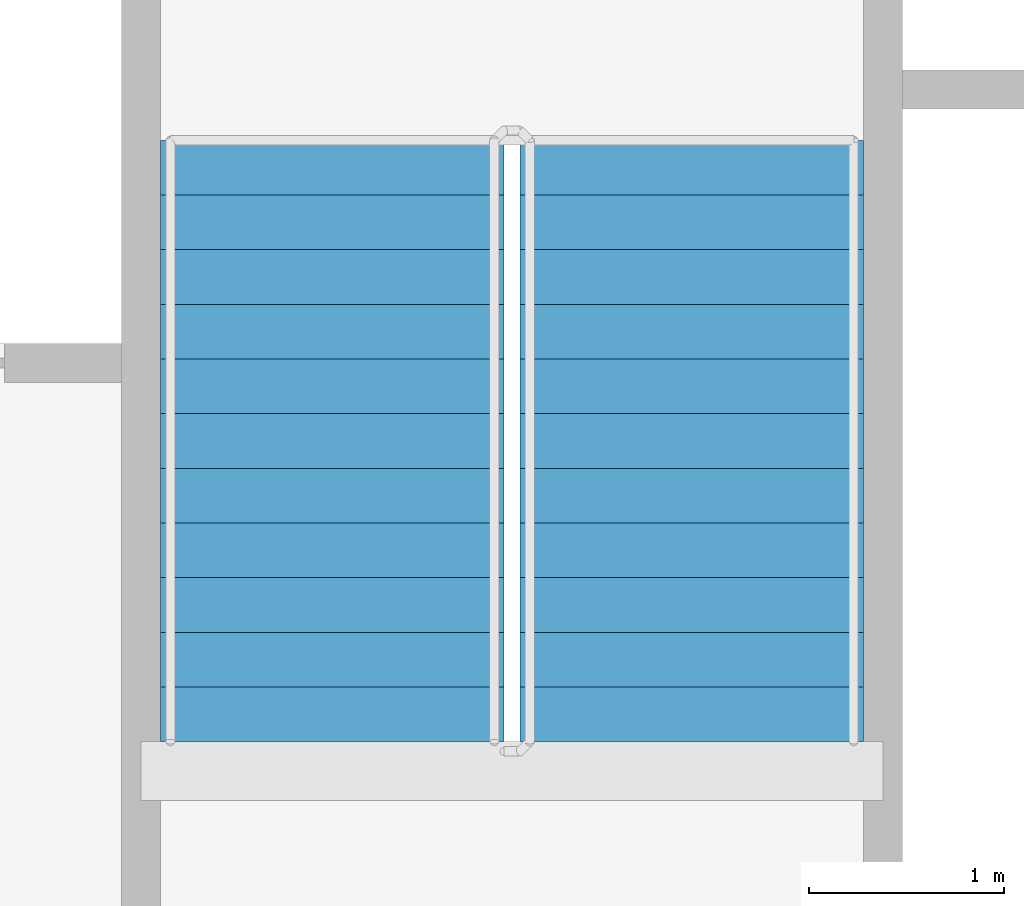
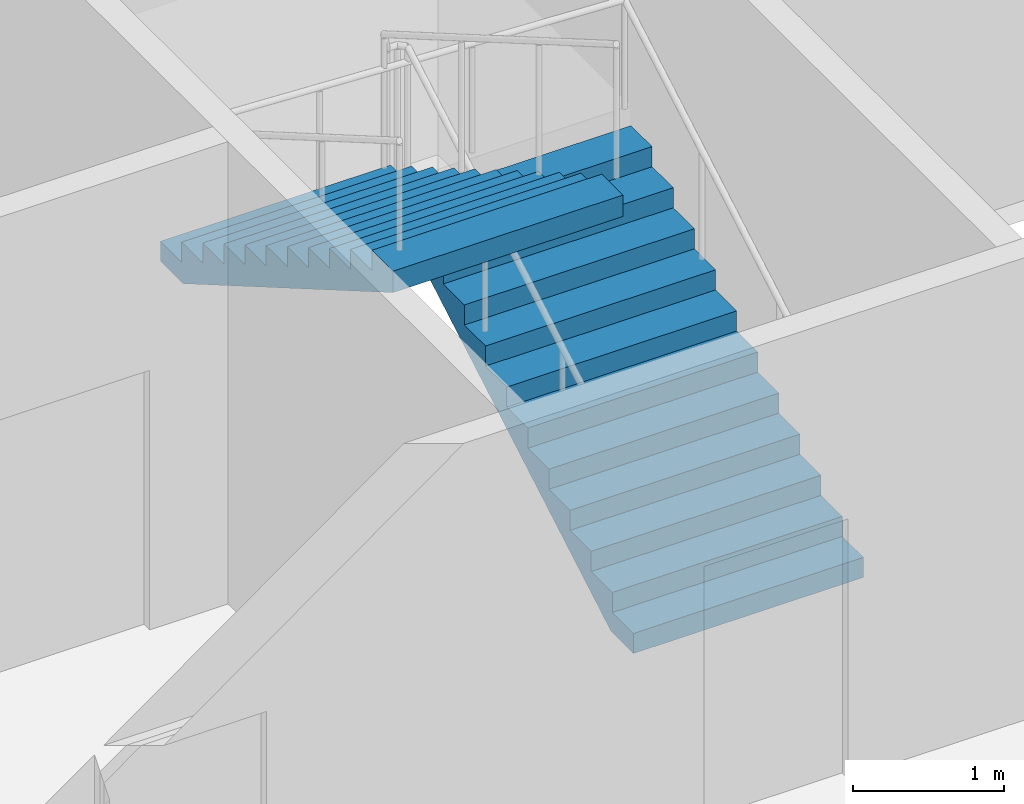
# One storey, part 10 of 15: 2 stair flights, 1 element without a shape of its own.
"""IFC4 building model written with IfcOpenShell, lengths in metres."""

from ifc_helpers import new_model, si_unit, direction, frame, origin, place, context, subcontext, project, spatial, faceted_brep, material, type_object, element, aggregate, save


model = new_model("IFC4")

# Units and contexts
model_context = context("Model", 3, precision=1e-05, world=origin(), true_north=direction((0.0, 1.0)))
body_context = subcontext(model_context, "Body", "Model", "MODEL_VIEW")
ifc_project = project(units=[si_unit("LENGTHUNIT", "METRE"), si_unit("AREAUNIT", "SQUARE_METRE"), si_unit("VOLUMEUNIT", "CUBIC_METRE"), si_unit("PLANEANGLEUNIT", "RADIAN"), si_unit("MASSUNIT", "GRAM", prefix="KILO")], contexts=[model_context])

# Site, building, storey
site_placement = place(None, origin())
site = spatial("IfcSite", under=ifc_project, at=site_placement, CompositionType="ELEMENT")
building_placement = place(site_placement, origin())
building = spatial("IfcBuilding", under=site, at=building_placement, Name="Tarsis Ring Headquarters", CompositionType="ELEMENT")
storey_placement = place(building_placement, frame((0.0, 0.0, 282.5)))
storey = spatial("IfcBuildingStorey", under=building, at=storey_placement, Name="L66", CompositionType="ELEMENT", Elevation=282.5)

# Stair, stair flights
ifc_material_1 = material(Name="Core stair 1760")
stair_type = type_object("IfcStairType", Name="Core stair 1760", PredefinedType="HALF_TURN_STAIR", material=ifc_material_1)
stair_placement = place(storey_placement, origin())
stair = element("IfcStair", 1, at=stair_placement, inside=storey, type_object=stair_type, Name="L66 Exit stair B", PredefinedType="HALF_TURN_STAIR")
ifc_material_2 = material(Name="Concrete C40/50", Category="concrete")
stair_flight_type = type_object("IfcStairFlightType", Name="Core stair flight 1760", PredefinedType="STRAIGHT", material=ifc_material_2)
stair_flight_1_placement = place(storey_placement, frame((5.419921875, 3.659912109375, 0.0), z_axis=(0.0, 0.0, 1.0), x_axis=(0.0, 1.0, 0.0)))
stair_flight_1 = element("IfcStairFlight", 2, at=stair_flight_1_placement, type_object=stair_flight_type, Name="Stair ST2 flight 1", NumberOfRisers=12, NumberOfTreads=11, PredefinedType="STRAIGHT", RiserHeight=0.1625, TreadLength=0.28, context=body_context, shape_type="Brep", body=[
    faceted_brep([(0.0, 0.8798828125, 0.0), (0.0, 0.8798828125, 0.16259765625), (0.280029296875, 0.8798828125, 0.16259765625), (0.280029296875, 0.8798828125, 0.324951171875), (0.56005859375, 0.8798828125, 0.324951171875), (0.56005859375, 0.8798828125, 0.487548828125), (0.840087890625, 0.8798828125, 0.487548828125), (0.840087890625, 0.8798828125, 0.64990234375), (1.1201171875, 0.8798828125, 0.64990234375), (1.1201171875, 0.8798828125, 0.8125), (1.39990234375, 0.8798828125, 0.8125), (1.39990234375, 0.8798828125, 0.97509765625), (1.679931640625, 0.8798828125, 0.97509765625), (1.679931640625, 0.8798828125, 1.137451171875), (1.9599609375, 0.8798828125, 1.137451171875), (1.9599609375, 0.8798828125, 1.300048828125), (2.239990234375, 0.8798828125, 1.300048828125), (2.239990234375, 0.8798828125, 1.46240234375), (2.52001953125, 0.8798828125, 1.46240234375), (2.52001953125, 0.8798828125, 1.625), (2.800048828125, 0.8798828125, 1.625), (2.800048828125, 0.8798828125, 1.78759765625), (3.080078125, 0.8798828125, 1.78759765625), (3.080078125, 0.8798828125, 1.6142578125), (0.298583984375, 0.8798828125, 0.0), (0.298583984375, -0.8798828125, 0.0), (3.080078125, -0.8798828125, 1.6142578125), (3.080078125, -0.8798828125, 1.78759765625), (2.800048828125, -0.8798828125, 1.78759765625), (2.800048828125, -0.8798828125, 1.625), (2.52001953125, -0.8798828125, 1.625), (2.52001953125, -0.8798828125, 1.46240234375), (2.239990234375, -0.8798828125, 1.46240234375), (2.239990234375, -0.8798828125, 1.300048828125), (1.9599609375, -0.8798828125, 1.300048828125), (1.9599609375, -0.8798828125, 1.137451171875), (1.679931640625, -0.8798828125, 1.137451171875), (1.679931640625, -0.8798828125, 0.97509765625), (1.39990234375, -0.8798828125, 0.97509765625), (1.39990234375, -0.8798828125, 0.8125), (1.1201171875, -0.8798828125, 0.8125), (1.1201171875, -0.8798828125, 0.64990234375), (0.840087890625, -0.8798828125, 0.64990234375), (0.840087890625, -0.8798828125, 0.487548828125), (0.56005859375, -0.8798828125, 0.487548828125), (0.56005859375, -0.8798828125, 0.324951171875), (0.280029296875, -0.8798828125, 0.324951171875), (0.280029296875, -0.8798828125, 0.16259765625), (0.0, -0.8798828125, 0.16259765625), (0.0, -0.8798828125, 0.0), (0.0, -0.43994140625, 0.16259765625), (0.0, -0.43994140625, 0.0), (0.0, 0.0, 0.16259765625), (0.0, 0.0, 0.0), (0.0, 0.43994140625, 0.16259765625), (0.0, 0.43994140625, 0.0), (0.280029296875, -0.43994140625, 0.16259765625), (0.280029296875, 0.0, 0.16259765625), (0.280029296875, 0.43994140625, 0.16259765625), (0.280029296875, -0.43994140625, 0.324951171875), (0.280029296875, 0.0, 0.324951171875), (0.280029296875, 0.43994140625, 0.324951171875), (0.56005859375, -0.43994140625, 0.324951171875), (0.56005859375, 0.0, 0.324951171875), (0.56005859375, 0.43994140625, 0.324951171875), (0.56005859375, -0.43994140625, 0.487548828125), (0.56005859375, 0.0, 0.487548828125), (0.56005859375, 0.43994140625, 0.487548828125), (0.840087890625, -0.43994140625, 0.487548828125), (0.840087890625, 0.0, 0.487548828125), (0.840087890625, 0.43994140625, 0.487548828125), (0.840087890625, -0.43994140625, 0.64990234375), (0.840087890625, 0.0, 0.64990234375), (0.840087890625, 0.43994140625, 0.64990234375), (1.1201171875, -0.43994140625, 0.64990234375), (1.1201171875, 0.0, 0.64990234375), (1.1201171875, 0.43994140625, 0.64990234375), (1.1201171875, -0.43994140625, 0.8125), (1.1201171875, 0.0, 0.8125), (1.1201171875, 0.43994140625, 0.8125), (1.39990234375, -0.43994140625, 0.8125), (1.39990234375, 0.0, 0.8125), (1.39990234375, 0.43994140625, 0.8125), (1.39990234375, -0.43994140625, 0.97509765625), (1.39990234375, 0.0, 0.97509765625), (1.39990234375, 0.43994140625, 0.97509765625), (1.679931640625, -0.43994140625, 0.97509765625), (1.679931640625, 0.0, 0.97509765625), (1.679931640625, 0.43994140625, 0.97509765625), (1.679931640625, -0.43994140625, 1.137451171875), (1.679931640625, 0.0, 1.137451171875), (1.679931640625, 0.43994140625, 1.137451171875), (1.9599609375, -0.43994140625, 1.137451171875), (1.9599609375, 0.0, 1.137451171875), (1.9599609375, 0.43994140625, 1.137451171875), (1.9599609375, -0.43994140625, 1.300048828125), (1.9599609375, 0.0, 1.300048828125), (1.9599609375, 0.43994140625, 1.300048828125), (2.239990234375, -0.43994140625, 1.300048828125), (2.239990234375, 0.0, 1.300048828125), (2.239990234375, 0.43994140625, 1.300048828125), (2.239990234375, -0.43994140625, 1.46240234375), (2.239990234375, 0.0, 1.46240234375), (2.239990234375, 0.43994140625, 1.46240234375), (2.52001953125, -0.43994140625, 1.46240234375), (2.52001953125, 0.0, 1.46240234375), (2.52001953125, 0.43994140625, 1.46240234375), (2.52001953125, -0.43994140625, 1.625), (2.52001953125, 0.0, 1.625), (2.52001953125, 0.43994140625, 1.625), (2.800048828125, -0.43994140625, 1.625), (2.800048828125, 0.0, 1.625), (2.800048828125, 0.43994140625, 1.625), (2.800048828125, -0.43994140625, 1.78759765625), (2.800048828125, 0.0, 1.78759765625), (2.800048828125, 0.43994140625, 1.78759765625), (3.080078125, -0.43994140625, 1.78759765625), (3.080078125, 0.0, 1.78759765625), (3.080078125, 0.43994140625, 1.78759765625), (3.080078125, -0.43994140625, 1.6142578125), (3.080078125, 0.0, 1.6142578125), (3.080078125, 0.43994140625, 1.6142578125), (0.298583984375, -0.43994140625, 0.0), (0.298583984375, 0.0, 0.0), (0.298583984375, 0.43994140625, 0.0)], [[[0, 1, 2, 3, 4, 5, 6, 7, 8, 9, 10, 11, 12, 13, 14, 15, 16, 17, 18, 19, 20, 21, 22, 23, 24]], [[25, 26, 27, 28, 29, 30, 31, 32, 33, 34, 35, 36, 37, 38, 39, 40, 41, 42, 43, 44, 45, 46, 47, 48, 49]], [[49, 48, 50, 51]], [[51, 50, 52, 53]], [[53, 52, 54, 55]], [[55, 54, 1, 0]], [[48, 47, 56, 50]], [[50, 56, 57, 52]], [[52, 57, 58, 54]], [[54, 58, 2, 1]], [[47, 46, 59, 56]], [[56, 59, 60, 57]], [[57, 60, 61, 58]], [[58, 61, 3, 2]], [[46, 45, 62, 59]], [[59, 62, 63, 60]], [[60, 63, 64, 61]], [[61, 64, 4, 3]], [[45, 44, 65, 62]], [[62, 65, 66, 63]], [[63, 66, 67, 64]], [[64, 67, 5, 4]], [[44, 43, 68, 65]], [[65, 68, 69, 66]], [[66, 69, 70, 67]], [[67, 70, 6, 5]], [[43, 42, 71, 68]], [[68, 71, 72, 69]], [[69, 72, 73, 70]], [[70, 73, 7, 6]], [[42, 41, 74, 71]], [[71, 74, 75, 72]], [[72, 75, 76, 73]], [[73, 76, 8, 7]], [[41, 40, 77, 74]], [[74, 77, 78, 75]], [[75, 78, 79, 76]], [[76, 79, 9, 8]], [[40, 39, 80, 77]], [[77, 80, 81, 78]], [[78, 81, 82, 79]], [[79, 82, 10, 9]], [[39, 38, 83, 80]], [[80, 83, 84, 81]], [[81, 84, 85, 82]], [[82, 85, 11, 10]], [[38, 37, 86, 83]], [[83, 86, 87, 84]], [[84, 87, 88, 85]], [[85, 88, 12, 11]], [[37, 36, 89, 86]], [[86, 89, 90, 87]], [[87, 90, 91, 88]], [[88, 91, 13, 12]], [[36, 35, 92, 89]], [[89, 92, 93, 90]], [[90, 93, 94, 91]], [[91, 94, 14, 13]], [[35, 34, 95, 92]], [[92, 95, 96, 93]], [[93, 96, 97, 94]], [[94, 97, 15, 14]], [[34, 33, 98, 95]], [[95, 98, 99, 96]], [[96, 99, 100, 97]], [[97, 100, 16, 15]], [[33, 32, 101, 98]], [[98, 101, 102, 99]], [[99, 102, 103, 100]], [[100, 103, 17, 16]], [[32, 31, 104, 101]], [[101, 104, 105, 102]], [[102, 105, 106, 103]], [[103, 106, 18, 17]], [[31, 30, 107, 104]], [[104, 107, 108, 105]], [[105, 108, 109, 106]], [[106, 109, 19, 18]], [[30, 29, 110, 107]], [[107, 110, 111, 108]], [[108, 111, 112, 109]], [[109, 112, 20, 19]], [[29, 28, 113, 110]], [[110, 113, 114, 111]], [[111, 114, 115, 112]], [[112, 115, 21, 20]], [[28, 27, 116, 113]], [[113, 116, 117, 114]], [[114, 117, 118, 115]], [[115, 118, 22, 21]], [[27, 26, 119, 116]], [[116, 119, 120, 117]], [[117, 120, 121, 118]], [[118, 121, 23, 22]], [[26, 25, 122, 119]], [[119, 122, 123, 120]], [[120, 123, 124, 121]], [[121, 124, 24, 23]], [[25, 49, 51, 122]], [[122, 51, 53, 123]], [[123, 53, 55, 124]], [[124, 55, 0, 24]]]),
])
stair_flight_2_placement = place(storey_placement, frame((3.580078125, 6.739990234375, 1.949951171875), z_axis=(0.0, 0.0, 1.0), x_axis=(0.0, -1.0, 0.0)))
stair_flight_2 = element("IfcStairFlight", 3, at=stair_flight_2_placement, type_object=stair_flight_type, Name="Stair ST2 flight 2", NumberOfRisers=12, NumberOfTreads=11, PredefinedType="STRAIGHT", RiserHeight=0.1625, TreadLength=0.28, context=body_context, shape_type="Brep", body=[
    faceted_brep([(0.0, 0.8798828125, 0.0), (0.0, 0.8798828125, 0.16259765625), (0.280029296875, 0.8798828125, 0.16259765625), (0.280029296875, 0.8798828125, 0.324951171875), (0.56005859375, 0.8798828125, 0.324951171875), (0.56005859375, 0.8798828125, 0.487548828125), (0.840087890625, 0.8798828125, 0.487548828125), (0.840087890625, 0.8798828125, 0.64990234375), (1.1201171875, 0.8798828125, 0.64990234375), (1.1201171875, 0.8798828125, 0.8125), (1.39990234375, 0.8798828125, 0.8125), (1.39990234375, 0.8798828125, 0.97509765625), (1.679931640625, 0.8798828125, 0.97509765625), (1.679931640625, 0.8798828125, 1.137451171875), (1.9599609375, 0.8798828125, 1.137451171875), (1.9599609375, 0.8798828125, 1.300048828125), (2.239990234375, 0.8798828125, 1.300048828125), (2.239990234375, 0.8798828125, 1.46240234375), (2.52001953125, 0.8798828125, 1.46240234375), (2.52001953125, 0.8798828125, 1.625), (2.800048828125, 0.8798828125, 1.625), (2.800048828125, 0.8798828125, 1.78759765625), (3.080078125, 0.8798828125, 1.78759765625), (3.080078125, 0.8798828125, 1.6142578125), (0.298583984375, 0.8798828125, 0.0), (0.298583984375, -0.8798828125, 0.0), (3.080078125, -0.8798828125, 1.6142578125), (3.080078125, -0.8798828125, 1.78759765625), (2.800048828125, -0.8798828125, 1.78759765625), (2.800048828125, -0.8798828125, 1.625), (2.52001953125, -0.8798828125, 1.625), (2.52001953125, -0.8798828125, 1.46240234375), (2.239990234375, -0.8798828125, 1.46240234375), (2.239990234375, -0.8798828125, 1.300048828125), (1.9599609375, -0.8798828125, 1.300048828125), (1.9599609375, -0.8798828125, 1.137451171875), (1.679931640625, -0.8798828125, 1.137451171875), (1.679931640625, -0.8798828125, 0.97509765625), (1.39990234375, -0.8798828125, 0.97509765625), (1.39990234375, -0.8798828125, 0.8125), (1.1201171875, -0.8798828125, 0.8125), (1.1201171875, -0.8798828125, 0.64990234375), (0.840087890625, -0.8798828125, 0.64990234375), (0.840087890625, -0.8798828125, 0.487548828125), (0.56005859375, -0.8798828125, 0.487548828125), (0.56005859375, -0.8798828125, 0.324951171875), (0.280029296875, -0.8798828125, 0.324951171875), (0.280029296875, -0.8798828125, 0.16259765625), (0.0, -0.8798828125, 0.16259765625), (0.0, -0.8798828125, 0.0), (0.0, -0.43994140625, 0.16259765625), (0.0, -0.43994140625, 0.0), (0.0, 0.0, 0.16259765625), (0.0, 0.0, 0.0), (0.0, 0.43994140625, 0.16259765625), (0.0, 0.43994140625, 0.0), (0.280029296875, -0.43994140625, 0.16259765625), (0.280029296875, 0.0, 0.16259765625), (0.280029296875, 0.43994140625, 0.16259765625), (0.280029296875, -0.43994140625, 0.324951171875), (0.280029296875, 0.0, 0.324951171875), (0.280029296875, 0.43994140625, 0.324951171875), (0.56005859375, -0.43994140625, 0.324951171875), (0.56005859375, 0.0, 0.324951171875), (0.56005859375, 0.43994140625, 0.324951171875), (0.56005859375, -0.43994140625, 0.487548828125), (0.56005859375, 0.0, 0.487548828125), (0.56005859375, 0.43994140625, 0.487548828125), (0.840087890625, -0.43994140625, 0.487548828125), (0.840087890625, 0.0, 0.487548828125), (0.840087890625, 0.43994140625, 0.487548828125), (0.840087890625, -0.43994140625, 0.64990234375), (0.840087890625, 0.0, 0.64990234375), (0.840087890625, 0.43994140625, 0.64990234375), (1.1201171875, -0.43994140625, 0.64990234375), (1.1201171875, 0.0, 0.64990234375), (1.1201171875, 0.43994140625, 0.64990234375), (1.1201171875, -0.43994140625, 0.8125), (1.1201171875, 0.0, 0.8125), (1.1201171875, 0.43994140625, 0.8125), (1.39990234375, -0.43994140625, 0.8125), (1.39990234375, 0.0, 0.8125), (1.39990234375, 0.43994140625, 0.8125), (1.39990234375, -0.43994140625, 0.97509765625), (1.39990234375, 0.0, 0.97509765625), (1.39990234375, 0.43994140625, 0.97509765625), (1.679931640625, -0.43994140625, 0.97509765625), (1.679931640625, 0.0, 0.97509765625), (1.679931640625, 0.43994140625, 0.97509765625), (1.679931640625, -0.43994140625, 1.137451171875), (1.679931640625, 0.0, 1.137451171875), (1.679931640625, 0.43994140625, 1.137451171875), (1.9599609375, -0.43994140625, 1.137451171875), (1.9599609375, 0.0, 1.137451171875), (1.9599609375, 0.43994140625, 1.137451171875), (1.9599609375, -0.43994140625, 1.300048828125), (1.9599609375, 0.0, 1.300048828125), (1.9599609375, 0.43994140625, 1.300048828125), (2.239990234375, -0.43994140625, 1.300048828125), (2.239990234375, 0.0, 1.300048828125), (2.239990234375, 0.43994140625, 1.300048828125), (2.239990234375, -0.43994140625, 1.46240234375), (2.239990234375, 0.0, 1.46240234375), (2.239990234375, 0.43994140625, 1.46240234375), (2.52001953125, -0.43994140625, 1.46240234375), (2.52001953125, 0.0, 1.46240234375), (2.52001953125, 0.43994140625, 1.46240234375), (2.52001953125, -0.43994140625, 1.625), (2.52001953125, 0.0, 1.625), (2.52001953125, 0.43994140625, 1.625), (2.800048828125, -0.43994140625, 1.625), (2.800048828125, 0.0, 1.625), (2.800048828125, 0.43994140625, 1.625), (2.800048828125, -0.43994140625, 1.78759765625), (2.800048828125, 0.0, 1.78759765625), (2.800048828125, 0.43994140625, 1.78759765625), (3.080078125, -0.43994140625, 1.78759765625), (3.080078125, 0.0, 1.78759765625), (3.080078125, 0.43994140625, 1.78759765625), (3.080078125, -0.43994140625, 1.6142578125), (3.080078125, 0.0, 1.6142578125), (3.080078125, 0.43994140625, 1.6142578125), (0.298583984375, -0.43994140625, 0.0), (0.298583984375, 0.0, 0.0), (0.298583984375, 0.43994140625, 0.0)], [[[0, 1, 2, 3, 4, 5, 6, 7, 8, 9, 10, 11, 12, 13, 14, 15, 16, 17, 18, 19, 20, 21, 22, 23, 24]], [[25, 26, 27, 28, 29, 30, 31, 32, 33, 34, 35, 36, 37, 38, 39, 40, 41, 42, 43, 44, 45, 46, 47, 48, 49]], [[49, 48, 50, 51]], [[51, 50, 52, 53]], [[53, 52, 54, 55]], [[55, 54, 1, 0]], [[48, 47, 56, 50]], [[50, 56, 57, 52]], [[52, 57, 58, 54]], [[54, 58, 2, 1]], [[47, 46, 59, 56]], [[56, 59, 60, 57]], [[57, 60, 61, 58]], [[58, 61, 3, 2]], [[46, 45, 62, 59]], [[59, 62, 63, 60]], [[60, 63, 64, 61]], [[61, 64, 4, 3]], [[45, 44, 65, 62]], [[62, 65, 66, 63]], [[63, 66, 67, 64]], [[64, 67, 5, 4]], [[44, 43, 68, 65]], [[65, 68, 69, 66]], [[66, 69, 70, 67]], [[67, 70, 6, 5]], [[43, 42, 71, 68]], [[68, 71, 72, 69]], [[69, 72, 73, 70]], [[70, 73, 7, 6]], [[42, 41, 74, 71]], [[71, 74, 75, 72]], [[72, 75, 76, 73]], [[73, 76, 8, 7]], [[41, 40, 77, 74]], [[74, 77, 78, 75]], [[75, 78, 79, 76]], [[76, 79, 9, 8]], [[40, 39, 80, 77]], [[77, 80, 81, 78]], [[78, 81, 82, 79]], [[79, 82, 10, 9]], [[39, 38, 83, 80]], [[80, 83, 84, 81]], [[81, 84, 85, 82]], [[82, 85, 11, 10]], [[38, 37, 86, 83]], [[83, 86, 87, 84]], [[84, 87, 88, 85]], [[85, 88, 12, 11]], [[37, 36, 89, 86]], [[86, 89, 90, 87]], [[87, 90, 91, 88]], [[88, 91, 13, 12]], [[36, 35, 92, 89]], [[89, 92, 93, 90]], [[90, 93, 94, 91]], [[91, 94, 14, 13]], [[35, 34, 95, 92]], [[92, 95, 96, 93]], [[93, 96, 97, 94]], [[94, 97, 15, 14]], [[34, 33, 98, 95]], [[95, 98, 99, 96]], [[96, 99, 100, 97]], [[97, 100, 16, 15]], [[33, 32, 101, 98]], [[98, 101, 102, 99]], [[99, 102, 103, 100]], [[100, 103, 17, 16]], [[32, 31, 104, 101]], [[101, 104, 105, 102]], [[102, 105, 106, 103]], [[103, 106, 18, 17]], [[31, 30, 107, 104]], [[104, 107, 108, 105]], [[105, 108, 109, 106]], [[106, 109, 19, 18]], [[30, 29, 110, 107]], [[107, 110, 111, 108]], [[108, 111, 112, 109]], [[109, 112, 20, 19]], [[29, 28, 113, 110]], [[110, 113, 114, 111]], [[111, 114, 115, 112]], [[112, 115, 21, 20]], [[28, 27, 116, 113]], [[113, 116, 117, 114]], [[114, 117, 118, 115]], [[115, 118, 22, 21]], [[27, 26, 119, 116]], [[116, 119, 120, 117]], [[117, 120, 121, 118]], [[118, 121, 23, 22]], [[26, 25, 122, 119]], [[119, 122, 123, 120]], [[120, 123, 124, 121]], [[121, 124, 24, 23]], [[25, 49, 51, 122]], [[122, 51, 53, 123]], [[123, 53, 55, 124]], [[124, 55, 0, 24]]]),
])
aggregate(stair, [stair_flight_1, stair_flight_2])

save(model, "model.ifc")
